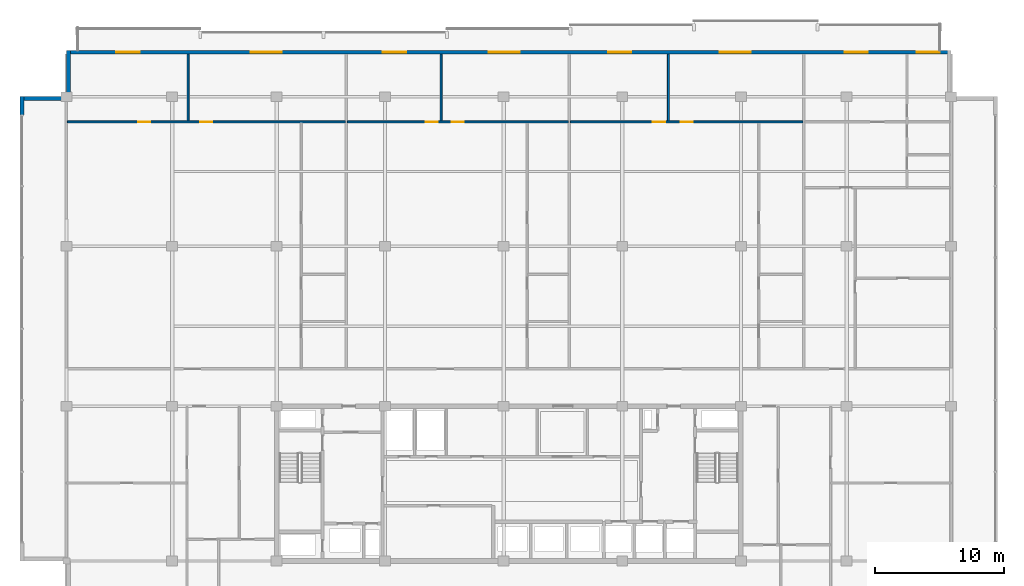
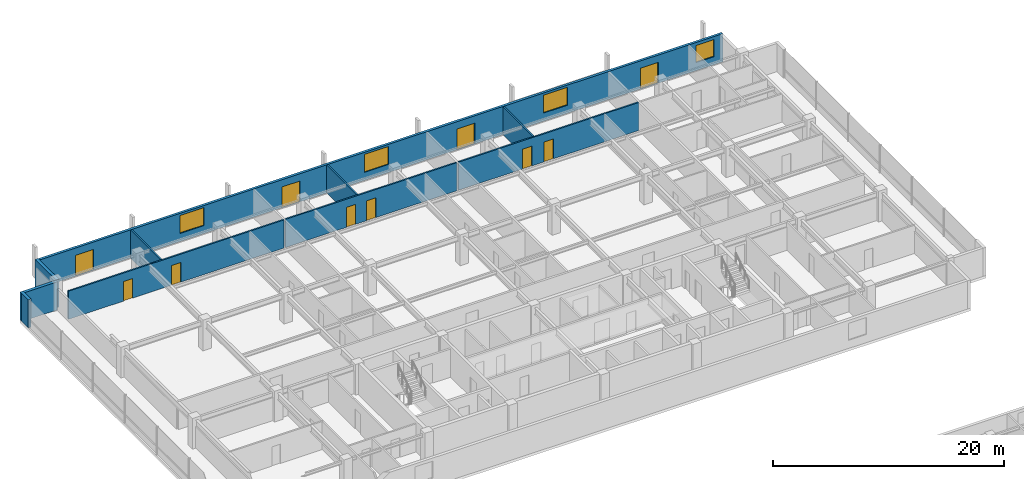
# One storey, part 25 of 32: 10 doors, 10 walls, 4 windows, 14 openings.
"""IFC4 building model written with IfcOpenShell, lengths in metres."""

from ifc_helpers import new_model, si_unit, direction, frame, frame_2d, origin, place, context, subcontext, project, spatial, rectangle, extrude, material, layer, layer_set, type_object, element, fill, save


model = new_model("IFC4")

# Units and contexts
model_context = context("Model", 3, precision=1e-05, world=origin(), true_north=direction((0.0, 1.0)))
body_context = subcontext(model_context, "Body", "Model", "MODEL_VIEW")
ifc_project = project(units=[si_unit("LENGTHUNIT", "METRE"), si_unit("AREAUNIT", "SQUARE_METRE"), si_unit("VOLUMEUNIT", "CUBIC_METRE"), si_unit("PLANEANGLEUNIT", "RADIAN"), si_unit("MASSUNIT", "GRAM", prefix="KILO")], contexts=[model_context])

# Site, building, storey
site_placement = place(None, origin())
site = spatial("IfcSite", under=ifc_project, at=site_placement, CompositionType="ELEMENT")
building_placement = place(site_placement, origin())
building = spatial("IfcBuilding", under=site, at=building_placement, Name="Korimba Cascade Residences", CompositionType="ELEMENT")
storey_placement = place(building_placement, frame((0.0, 0.0, 178.35009765625)))
storey = spatial("IfcBuildingStorey", under=building, at=storey_placement, Name="L51", CompositionType="ELEMENT", Elevation=178.35009765625)

# Wall, openings, doors, windows
ifc_material_1 = material(Name="Precast concrete C40/50", Category="concrete")
ifc_layer_1 = layer(ifc_material_1, 0.25)
ifc_layer_set_1 = layer_set([ifc_layer_1], Name="Precast concrete C40/50")
wall_type_1 = type_object("IfcWallType", Name="EW-LOG-250", PredefinedType="STANDARD", material=ifc_layer_set_1)
wall_1_placement = place(storey_placement, frame((128.39990234375, 94.64990234375, 0.0), z_axis=(0.0, 0.0, 1.0), x_axis=(-1.0, 0.0, 0.0)))
wall_1 = element("IfcWall", 1, at=wall_1_placement, inside=storey, type_object=wall_type_1, Name="L51 T1 Perimeter Stone Wall E06", PredefinedType="STANDARD", context=body_context, shape_type="SweptSolid", body=[
    extrude(rectangle(XDim=68.599853515625, YDim=0.25, at=frame_2d((34.2998046875, 0.0))), origin(), (0.0, 0.0, 1.0), 2.969970703125),
])
opening_1_placement = place(wall_1_placement, frame((62.923095703125, 0.0, 0.0)))
opening_1 = element("IfcOpeningElement", 2, at=opening_1_placement, cuts=wall_1, Name="Opening D-LG1", PredefinedType="OPENING", context=body_context, shape_type="SweptSolid", body=[
    extrude(rectangle(XDim=1.800048828125, YDim=2.199951171875, at=frame_2d((0.89990234375, 1.10009765625))), frame((0.0, 0.135009765625, 0.0), z_axis=(0.0, -1.0, 0.0), x_axis=(1.0, 0.0, 0.0)), (0.0, 0.0, 1.0), 0.27001953125),
])
opening_2_placement = place(wall_1_placement, frame((51.88916015625, 0.0, 0.85009765625)))
opening_2 = element("IfcOpeningElement", 3, at=opening_2_placement, cuts=wall_1, Name="Opening W-01", PredefinedType="OPENING", context=body_context, shape_type="SweptSolid", body=[
    extrude(rectangle(XDim=2.39990234375, YDim=1.89990234375, at=frame_2d((1.199951171875, 0.949951171875))), frame((0.0, 0.135009765625, 0.0), z_axis=(0.0, -1.0, 0.0), x_axis=(1.0, 0.0, 0.0)), (0.0, 0.0, 1.0), 0.27001953125),
])
opening_3_placement = place(wall_1_placement, frame((42.262451171875, 0.0, 0.0)))
opening_3 = element("IfcOpeningElement", 4, at=opening_3_placement, cuts=wall_1, Name="Opening D-LG1", PredefinedType="OPENING", context=body_context, shape_type="SweptSolid", body=[
    extrude(rectangle(XDim=1.800048828125, YDim=2.199951171875, at=frame_2d((0.89990234375, 1.10009765625))), frame((0.0, 0.135009765625, 0.0), z_axis=(0.0, -1.0, 0.0), x_axis=(1.0, 0.0, 0.0)), (0.0, 0.0, 1.0), 0.27001953125),
])
opening_4_placement = place(wall_1_placement, frame((33.4375, 0.0, 0.85009765625)))
opening_4 = element("IfcOpeningElement", 5, at=opening_4_placement, cuts=wall_1, Name="Opening W-01", PredefinedType="OPENING", context=body_context, shape_type="SweptSolid", body=[
    extrude(rectangle(XDim=2.39990234375, YDim=1.89990234375, at=frame_2d((1.199951171875, 0.949951171875))), frame((0.0, 0.135009765625, 0.0), z_axis=(0.0, -1.0, 0.0), x_axis=(1.0, 0.0, 0.0)), (0.0, 0.0, 1.0), 0.27001953125),
])
opening_5_placement = place(wall_1_placement, frame((24.80517578125, 0.0, 0.0)))
opening_5 = element("IfcOpeningElement", 6, at=opening_5_placement, cuts=wall_1, Name="Opening D-LG1", PredefinedType="OPENING", context=body_context, shape_type="SweptSolid", body=[
    extrude(rectangle(XDim=1.800048828125, YDim=2.199951171875, at=frame_2d((0.89990234375, 1.10009765625))), frame((0.0, 0.135009765625, 0.0), z_axis=(0.0, -1.0, 0.0), x_axis=(1.0, 0.0, 0.0)), (0.0, 0.0, 1.0), 0.27001953125),
])
opening_6_placement = place(wall_1_placement, frame((15.530517578125, 0.0, 0.85009765625)))
opening_6 = element("IfcOpeningElement", 7, at=opening_6_placement, cuts=wall_1, Name="Opening W-01", PredefinedType="OPENING", context=body_context, shape_type="SweptSolid", body=[
    extrude(rectangle(XDim=2.39990234375, YDim=1.89990234375, at=frame_2d((1.199951171875, 0.949951171875))), frame((0.0, 0.135009765625, 0.0), z_axis=(0.0, -1.0, 0.0), x_axis=(1.0, 0.0, 0.0)), (0.0, 0.0, 1.0), 0.27001953125),
])
opening_7_placement = place(wall_1_placement, frame((6.456298828125, 0.0, 0.0)))
opening_7 = element("IfcOpeningElement", 8, at=opening_7_placement, cuts=wall_1, Name="Opening D-LG1", PredefinedType="OPENING", context=body_context, shape_type="SweptSolid", body=[
    extrude(rectangle(XDim=1.800048828125, YDim=2.199951171875, at=frame_2d((0.89990234375, 1.10009765625))), frame((0.0, 0.135009765625, 0.0), z_axis=(0.0, -1.0, 0.0), x_axis=(1.0, 0.0, 0.0)), (0.0, 0.0, 1.0), 0.27001953125),
])
opening_8_placement = place(wall_1_placement, frame((0.8701171875, 0.0, 0.85009765625)))
opening_8 = element("IfcOpeningElement", 9, at=opening_8_placement, cuts=wall_1, Name="Opening W-02", PredefinedType="OPENING", context=body_context, shape_type="SweptSolid", body=[
    extrude(rectangle(XDim=1.800048828125, YDim=1.800048828125, at=frame_2d((0.89990234375, 0.89990234375))), frame((0.0, 0.135009765625, 0.0), z_axis=(0.0, -1.0, 0.0), x_axis=(1.0, 0.0, 0.0)), (0.0, 0.0, 1.0), 0.27001953125),
])
ifc_material_2 = material(Name="Glazed Aluminium Loggia Sliding Door", Category="aluminium")
door_type_1 = type_object("IfcDoorType", Name="DR-EXT-LOG", OperationType="NOTDEFINED", PredefinedType="DOOR", material=ifc_material_2)
door_1_placement = place(opening_1_placement, origin())
door_1 = element("IfcDoor", 10, at=door_1_placement, inside=storey, type_object=door_type_1, Name="L51 T1 Loggia Sliding Door 3", OperationType="SLIDING_TO_LEFT", OverallHeight=2.199951171875, OverallWidth=1.800048828125, PredefinedType="DOOR", context=body_context, shape_type="SweptSolid", body=[
    extrude(rectangle(XDim=1.800048828125, YDim=2.199951171875, at=frame_2d((0.89990234375, 1.10009765625))), frame((0.0, 0.02490234375, 0.0), z_axis=(0.0, -1.0, 0.0), x_axis=(1.0, 0.0, 0.0)), (0.0, 0.0, 1.0), 0.050048828125),
])
fill(opening_1, door_1)
door_2_placement = place(opening_3_placement, origin())
door_2 = element("IfcDoor", 11, at=door_2_placement, inside=storey, type_object=door_type_1, Name="L51 T1 Loggia Sliding Door 5", OperationType="SLIDING_TO_LEFT", OverallHeight=2.199951171875, OverallWidth=1.800048828125, PredefinedType="DOOR", context=body_context, shape_type="SweptSolid", body=[
    extrude(rectangle(XDim=1.800048828125, YDim=2.199951171875, at=frame_2d((0.89990234375, 1.10009765625))), frame((0.0, 0.02490234375, 0.0), z_axis=(0.0, -1.0, 0.0), x_axis=(1.0, 0.0, 0.0)), (0.0, 0.0, 1.0), 0.050048828125),
])
fill(opening_3, door_2)
door_3_placement = place(opening_5_placement, origin())
door_3 = element("IfcDoor", 12, at=door_3_placement, inside=storey, type_object=door_type_1, Name="L51 T1 Loggia Sliding Door 7", OperationType="SLIDING_TO_LEFT", OverallHeight=2.199951171875, OverallWidth=1.800048828125, PredefinedType="DOOR", context=body_context, shape_type="SweptSolid", body=[
    extrude(rectangle(XDim=1.800048828125, YDim=2.199951171875, at=frame_2d((0.89990234375, 1.10009765625))), frame((0.0, 0.02490234375, 0.0), z_axis=(0.0, -1.0, 0.0), x_axis=(1.0, 0.0, 0.0)), (0.0, 0.0, 1.0), 0.050048828125),
])
fill(opening_5, door_3)
door_4_placement = place(opening_7_placement, origin())
door_4 = element("IfcDoor", 13, at=door_4_placement, inside=storey, type_object=door_type_1, Name="L51 T1 Loggia Sliding Door 9", OperationType="SLIDING_TO_LEFT", OverallHeight=2.199951171875, OverallWidth=1.800048828125, PredefinedType="DOOR", context=body_context, shape_type="SweptSolid", body=[
    extrude(rectangle(XDim=1.800048828125, YDim=2.199951171875, at=frame_2d((0.89990234375, 1.10009765625))), frame((0.0, 0.02490234375, 0.0), z_axis=(0.0, -1.0, 0.0), x_axis=(1.0, 0.0, 0.0)), (0.0, 0.0, 1.0), 0.050048828125),
])
fill(opening_7, door_4)
ifc_material_3 = material(Name="Double-Glazed Aluminium Window", Category="aluminium")
window_type_1 = type_object("IfcWindowType", Name="WIN-BED-1800", PartitioningType="SINGLE_PANEL", PredefinedType="WINDOW", material=ifc_material_3)
window_1_placement = place(opening_8_placement, origin())
window_1 = element("IfcWindow", 14, at=window_1_placement, inside=storey, type_object=window_type_1, Name="L51 T1 North Facade Window 10", OverallHeight=1.800048828125, OverallWidth=1.800048828125, PartitioningType="SINGLE_PANEL", PredefinedType="WINDOW", context=body_context, shape_type="SweptSolid", body=[
    extrude(rectangle(XDim=1.800048828125, YDim=1.800048828125, at=frame_2d((0.89990234375, 0.89990234375))), frame((0.0, 0.030029296875, 0.0), z_axis=(0.0, -1.0, 0.0), x_axis=(1.0, 0.0, 0.0)), (0.0, 0.0, 1.0), 0.06005859375),
])
fill(opening_8, window_1)
window_type_2 = type_object("IfcWindowType", Name="WIN-RES-2400", PartitioningType="DOUBLE_PANEL_VERTICAL", PredefinedType="WINDOW", material=ifc_material_3)
window_2_placement = place(opening_2_placement, origin())
window_2 = element("IfcWindow", 15, at=window_2_placement, inside=storey, type_object=window_type_2, Name="L51 T1 North Facade Window 4", OverallHeight=1.89990234375, OverallWidth=2.39990234375, PartitioningType="DOUBLE_PANEL_VERTICAL", PredefinedType="WINDOW", context=body_context, shape_type="SweptSolid", body=[
    extrude(rectangle(XDim=2.39990234375, YDim=1.89990234375, at=frame_2d((1.199951171875, 0.949951171875))), frame((0.0, 0.030029296875, 0.0), z_axis=(0.0, -1.0, 0.0), x_axis=(1.0, 0.0, 0.0)), (0.0, 0.0, 1.0), 0.06005859375),
])
fill(opening_2, window_2)
window_3_placement = place(opening_4_placement, origin())
window_3 = element("IfcWindow", 16, at=window_3_placement, inside=storey, type_object=window_type_2, Name="L51 T1 North Facade Window 6", OverallHeight=1.89990234375, OverallWidth=2.39990234375, PartitioningType="DOUBLE_PANEL_VERTICAL", PredefinedType="WINDOW", context=body_context, shape_type="SweptSolid", body=[
    extrude(rectangle(XDim=2.39990234375, YDim=1.89990234375, at=frame_2d((1.199951171875, 0.949951171875))), frame((0.0, 0.030029296875, 0.0), z_axis=(0.0, -1.0, 0.0), x_axis=(1.0, 0.0, 0.0)), (0.0, 0.0, 1.0), 0.06005859375),
])
fill(opening_4, window_3)
window_4_placement = place(opening_6_placement, origin())
window_4 = element("IfcWindow", 17, at=window_4_placement, inside=storey, type_object=window_type_2, Name="L51 T1 North Facade Window 8", OverallHeight=1.89990234375, OverallWidth=2.39990234375, PartitioningType="DOUBLE_PANEL_VERTICAL", PredefinedType="WINDOW", context=body_context, shape_type="SweptSolid", body=[
    extrude(rectangle(XDim=2.39990234375, YDim=1.89990234375, at=frame_2d((1.199951171875, 0.949951171875))), frame((0.0, 0.030029296875, 0.0), z_axis=(0.0, -1.0, 0.0), x_axis=(1.0, 0.0, 0.0)), (0.0, 0.0, 1.0), 0.06005859375),
])
fill(opening_6, window_4)

# Walls
ifc_layer_2 = layer(ifc_material_1, 0.300048828125)
ifc_layer_set_2 = layer_set([ifc_layer_2], Name="Precast concrete C40/50")
wall_type_2 = type_object("IfcWallType", Name="EW-STONE-300", PredefinedType="STANDARD", material=ifc_layer_set_2)
for number, where, z_axis, x_axis, name in (
    (18, (59.949951171875, 94.800048828125, 0.0), (0.0, 0.0, 1.0), (0.0, -1.0, 0.0), "L51 T1 Perimeter Stone Wall E07"),
    (19, (59.800048828125, 91.050048828125, 0.0), (0.0, 0.0, 1.0), (-1.0, 0.0, 0.0), "L51 T1 Perimeter Stone Wall E08"),
):
    element("IfcWall", number, at=place(storey_placement, frame(where, z_axis=z_axis, x_axis=x_axis)), inside=storey, type_object=wall_type_2, Name=name, PredefinedType="STANDARD", context=body_context, shape_type="SweptSolid", body=[
        extrude(rectangle(XDim=3.60009765625, YDim=0.300048828125, at=frame_2d((1.800048828125, 0.0))), origin(), (0.0, 0.0, 1.0), 2.969970703125),
    ])
wall_2_placement = place(storey_placement, frame((56.35009765625, 91.199951171875, 0.0), z_axis=(0.0, 0.0, 1.0), x_axis=(0.0, -1.0, 0.0)))
element("IfcWall", 20, at=wall_2_placement, inside=storey, type_object=wall_type_2, Name="L51 T1 Sky Pier 9A", PredefinedType="STANDARD", context=body_context, shape_type="SweptSolid", body=[
    extrude(rectangle(XDim=1.39990234375, YDim=0.300048828125, at=frame_2d((0.699951171875, 0.0))), origin(), (0.0, 0.0, 1.0), 2.969970703125),
])
ifc_material_4 = material(Name="Insulated Acoustic Stud Partition", Category="gypsum")
ifc_layer_3 = layer(ifc_material_4, 0.14990234375)
ifc_layer_set_3 = layer_set([ifc_layer_3], Name="Insulated Acoustic Stud Partition")
wall_type_3 = type_object("IfcWallType", Name="WAL-PART-150", PredefinedType="PARTITIONING", material=ifc_layer_set_3)
wall_3_placement = place(storey_placement, frame((69.23388671875, 89.330078125, 0.0), z_axis=(0.0, 0.0, 1.0), x_axis=(0.0, 1.0, 0.0)))
element("IfcWall", 21, at=wall_3_placement, inside=storey, type_object=wall_type_3, Name="L51 Partition Wall WAL-L51-T1-U01-OUTV", PredefinedType="PARTITIONING", context=body_context, shape_type="SweptSolid", body=[
    extrude(rectangle(XDim=5.169921875, YDim=0.14990234375, at=frame_2d((2.5849609375, 0.0))), origin(), (0.0, 0.0, 1.0), 2.969970703125),
])

# Wall, openings, doors
wall_4_placement = place(storey_placement, frame((59.8798828125, 89.25, 0.0), z_axis=(0.0, 0.0, 1.0), x_axis=(1.0, 0.0, 0.0)))
wall_4 = element("IfcWall", 22, at=wall_4_placement, inside=storey, type_object=wall_type_3, Name="L51 Partition Wall WAL-L51-T1-U01-HZ", PredefinedType="PARTITIONING", context=body_context, shape_type="SweptSolid", body=[
    extrude(rectangle(XDim=21.5478515625, YDim=0.14990234375, at=frame_2d((10.77392578125, 0.0))), origin(), (0.0, 0.0, 1.0), 2.969970703125),
])
opening_9_placement = place(wall_4_placement, frame((5.486328125, 0.0, 0.0)))
opening_9 = element("IfcOpeningElement", 23, at=opening_9_placement, cuts=wall_4, Name="Opening D-ST1", PredefinedType="OPENING", context=body_context, shape_type="SweptSolid", body=[
    extrude(rectangle(XDim=0.919921875, YDim=2.080078125, at=frame_2d((0.4599609375, 1.0400390625))), frame((0.0, 0.0849609375, 0.0), z_axis=(0.0, -1.0, 0.0), x_axis=(1.0, 0.0, 0.0)), (0.0, 0.0, 1.0), 0.169921875),
])
opening_10_placement = place(wall_4_placement, frame((10.313720703125, 0.0, 0.0)))
opening_10 = element("IfcOpeningElement", 24, at=opening_10_placement, cuts=wall_4, Name="Opening D-ST1", PredefinedType="OPENING", context=body_context, shape_type="SweptSolid", body=[
    extrude(rectangle(XDim=0.919921875, YDim=2.080078125, at=frame_2d((0.4599609375, 1.0400390625))), frame((0.0, 0.0849609375, 0.0), z_axis=(0.0, -1.0, 0.0), x_axis=(1.0, 0.0, 0.0)), (0.0, 0.0, 1.0), 0.169921875),
])
ifc_material_5 = material(Name="Fire-Rated Core Store Door", Category="wood")
door_type_2 = type_object("IfcDoorType", Name="DR-FD60-920", OperationType="NOTDEFINED", PredefinedType="DOOR", material=ifc_material_5)
door_5_placement = place(opening_9_placement, origin())
door_5 = element("IfcDoor", 25, at=door_5_placement, inside=storey, type_object=door_type_2, Name="L51-T1-U01 Sky Lobby Concierge Door", OperationType="SINGLE_SWING_RIGHT", OverallHeight=2.080078125, OverallWidth=0.919921875, PredefinedType="DOOR", context=body_context, shape_type="SweptSolid", body=[
    extrude(rectangle(XDim=0.919921875, YDim=2.080078125, at=frame_2d((0.4599609375, 1.0400390625))), frame((0.0, 0.02490234375, 0.0), z_axis=(0.0, -1.0, 0.0), x_axis=(1.0, 0.0, 0.0)), (0.0, 0.0, 1.0), 0.050048828125),
])
fill(opening_9, door_5)
door_6_placement = place(opening_10_placement, origin())
door_6 = element("IfcDoor", 26, at=door_6_placement, inside=storey, type_object=door_type_2, Name="L51-T1-U01 Horizon Observation Atrium Door", OperationType="SINGLE_SWING_LEFT", OverallHeight=2.080078125, OverallWidth=0.919921875, PredefinedType="DOOR", context=body_context, shape_type="SweptSolid", body=[
    extrude(rectangle(XDim=0.919921875, YDim=2.080078125, at=frame_2d((0.4599609375, 1.0400390625))), frame((0.0, 0.02490234375, 0.0), z_axis=(0.0, -1.0, 0.0), x_axis=(1.0, 0.0, 0.0)), (0.0, 0.0, 1.0), 0.050048828125),
])
fill(opening_10, door_6)

# Wall
wall_5_placement = place(storey_placement, frame((88.847412109375, 89.330078125, 0.0), z_axis=(0.0, 0.0, 1.0), x_axis=(0.0, 1.0, 0.0)))
element("IfcWall", 27, at=wall_5_placement, inside=storey, type_object=wall_type_3, Name="L51 Partition Wall WAL-L51-T1-U02-OUTV", PredefinedType="PARTITIONING", context=body_context, shape_type="SweptSolid", body=[
    extrude(rectangle(XDim=5.169921875, YDim=0.14990234375, at=frame_2d((2.5849609375, 0.0))), origin(), (0.0, 0.0, 1.0), 2.969970703125),
])

# Wall, openings, doors
wall_6_placement = place(storey_placement, frame((81.587646484375, 89.25, 0.0), z_axis=(0.0, 0.0, 1.0), x_axis=(1.0, 0.0, 0.0)))
wall_6 = element("IfcWall", 28, at=wall_6_placement, inside=storey, type_object=wall_type_3, Name="L51 Partition Wall WAL-L51-T1-U02-HZ", PredefinedType="PARTITIONING", context=body_context, shape_type="SweptSolid", body=[
    extrude(rectangle(XDim=17.129638671875, YDim=0.14990234375, at=frame_2d((8.56494140625, 0.0))), origin(), (0.0, 0.0, 1.0), 2.969970703125),
])
opening_11_placement = place(wall_6_placement, frame((6.06982421875, 0.0, 0.0)))
opening_11 = element("IfcOpeningElement", 29, at=opening_11_placement, cuts=wall_6, Name="Opening D-IN0", PredefinedType="OPENING", context=body_context, shape_type="SweptSolid", body=[
    extrude(rectangle(XDim=0.93994140625, YDim=2.10009765625, at=frame_2d((0.469970703125, 1.050048828125))), frame((0.0, 0.0849609375, 0.0), z_axis=(0.0, -1.0, 0.0), x_axis=(1.0, 0.0, 0.0)), (0.0, 0.0, 1.0), 0.169921875),
])
opening_12_placement = place(wall_6_placement, frame((8.0947265625, 0.0, 0.0)))
opening_12 = element("IfcOpeningElement", 30, at=opening_12_placement, cuts=wall_6, Name="Opening D-IN0", PredefinedType="OPENING", context=body_context, shape_type="SweptSolid", body=[
    extrude(rectangle(XDim=0.93994140625, YDim=2.10009765625, at=frame_2d((0.469970703125, 1.050048828125))), frame((0.0, 0.0849609375, 0.0), z_axis=(0.0, -1.0, 0.0), x_axis=(1.0, 0.0, 0.0)), (0.0, 0.0, 1.0), 0.169921875),
])
ifc_material_6 = material(Name="Acoustic Timber Living Archway Door", Category="wood")
door_type_3 = type_object("IfcDoorType", Name="DR-INT-950", OperationType="NOTDEFINED", PredefinedType="DOOR", material=ifc_material_6)
door_7_placement = place(opening_11_placement, origin())
door_7 = element("IfcDoor", 31, at=door_7_placement, inside=storey, type_object=door_type_3, Name="L51-T1-U02 Executive Co-Working Office Door", OperationType="SINGLE_SWING_LEFT", OverallHeight=2.10009765625, OverallWidth=0.93994140625, PredefinedType="DOOR", context=body_context, shape_type="SweptSolid", body=[
    extrude(rectangle(XDim=0.93994140625, YDim=2.10009765625, at=frame_2d((0.469970703125, 1.050048828125))), frame((0.0, 0.02490234375, 0.0), z_axis=(0.0, -1.0, 0.0), x_axis=(1.0, 0.0, 0.0)), (0.0, 0.0, 1.0), 0.050048828125),
])
fill(opening_11, door_7)
door_8_placement = place(opening_12_placement, origin())
door_8 = element("IfcDoor", 32, at=door_8_placement, inside=storey, type_object=door_type_3, Name="L51-T1-U02 Focus Workstation Office Door", OperationType="SINGLE_SWING_RIGHT", OverallHeight=2.10009765625, OverallWidth=0.93994140625, PredefinedType="DOOR", context=body_context, shape_type="SweptSolid", body=[
    extrude(rectangle(XDim=0.93994140625, YDim=2.10009765625, at=frame_2d((0.469970703125, 1.050048828125))), frame((0.0, 0.02490234375, 0.0), z_axis=(0.0, -1.0, 0.0), x_axis=(1.0, 0.0, 0.0)), (0.0, 0.0, 1.0), 0.050048828125),
])
fill(opening_12, door_8)

# Wall
wall_7_placement = place(storey_placement, frame((106.47216796875, 89.330078125, 0.0), z_axis=(0.0, 0.0, 1.0), x_axis=(0.0, 1.0, 0.0)))
element("IfcWall", 33, at=wall_7_placement, inside=storey, type_object=wall_type_3, Name="L51 Partition Wall WAL-L51-T1-U03-OUTV", PredefinedType="PARTITIONING", context=body_context, shape_type="SweptSolid", body=[
    extrude(rectangle(XDim=5.169921875, YDim=0.14990234375, at=frame_2d((2.5849609375, 0.0))), origin(), (0.0, 0.0, 1.0), 2.969970703125),
])

# Wall, openings, doors
wall_8_placement = place(storey_placement, frame((98.87744140625, 89.25, 0.0), z_axis=(0.0, 0.0, 1.0), x_axis=(1.0, 0.0, 0.0)))
wall_8 = element("IfcWall", 34, at=wall_8_placement, inside=storey, type_object=wall_type_3, Name="L51 Partition Wall WAL-L51-T1-U03-HZ", PredefinedType="PARTITIONING", context=body_context, shape_type="SweptSolid", body=[
    extrude(rectangle(XDim=18.029541015625, YDim=0.14990234375, at=frame_2d((9.0146484375, 0.0))), origin(), (0.0, 0.0, 1.0), 2.969970703125),
])
opening_13_placement = place(wall_8_placement, frame((6.40478515625, 0.0, 0.0)))
opening_13 = element("IfcOpeningElement", 35, at=opening_13_placement, cuts=wall_8, Name="Opening D-IN0", PredefinedType="OPENING", context=body_context, shape_type="SweptSolid", body=[
    extrude(rectangle(XDim=0.93994140625, YDim=2.10009765625, at=frame_2d((0.469970703125, 1.050048828125))), frame((0.0, 0.0849609375, 0.0), z_axis=(0.0, -1.0, 0.0), x_axis=(1.0, 0.0, 0.0)), (0.0, 0.0, 1.0), 0.169921875),
])
opening_14_placement = place(wall_8_placement, frame((8.544921875, 0.0, 0.0)))
opening_14 = element("IfcOpeningElement", 36, at=opening_14_placement, cuts=wall_8, Name="Opening D-IN0", PredefinedType="OPENING", context=body_context, shape_type="SweptSolid", body=[
    extrude(rectangle(XDim=0.93994140625, YDim=2.10009765625, at=frame_2d((0.469970703125, 1.050048828125))), frame((0.0, 0.0849609375, 0.0), z_axis=(0.0, -1.0, 0.0), x_axis=(1.0, 0.0, 0.0)), (0.0, 0.0, 1.0), 0.169921875),
])
door_9_placement = place(opening_13_placement, origin())
door_9 = element("IfcDoor", 37, at=door_9_placement, inside=storey, type_object=door_type_3, Name="L51-T1-U03 Resident Gourmet Market Door", OperationType="SINGLE_SWING_RIGHT", OverallHeight=2.10009765625, OverallWidth=0.93994140625, PredefinedType="DOOR", context=body_context, shape_type="SweptSolid", body=[
    extrude(rectangle(XDim=0.93994140625, YDim=2.10009765625, at=frame_2d((0.469970703125, 1.050048828125))), frame((0.0, 0.02490234375, 0.0), z_axis=(0.0, -1.0, 0.0), x_axis=(1.0, 0.0, 0.0)), (0.0, 0.0, 1.0), 0.050048828125),
])
fill(opening_13, door_9)
door_10_placement = place(opening_14_placement, origin())
door_10 = element("IfcDoor", 38, at=door_10_placement, inside=storey, type_object=door_type_3, Name="L51-T1-U03 Artisan Gallery Boutique Door", OperationType="SINGLE_SWING_LEFT", OverallHeight=2.10009765625, OverallWidth=0.93994140625, PredefinedType="DOOR", context=body_context, shape_type="SweptSolid", body=[
    extrude(rectangle(XDim=0.93994140625, YDim=2.10009765625, at=frame_2d((0.469970703125, 1.050048828125))), frame((0.0, 0.02490234375, 0.0), z_axis=(0.0, -1.0, 0.0), x_axis=(1.0, 0.0, 0.0)), (0.0, 0.0, 1.0), 0.050048828125),
])
fill(opening_14, door_10)

save(model, "model.ifc")
